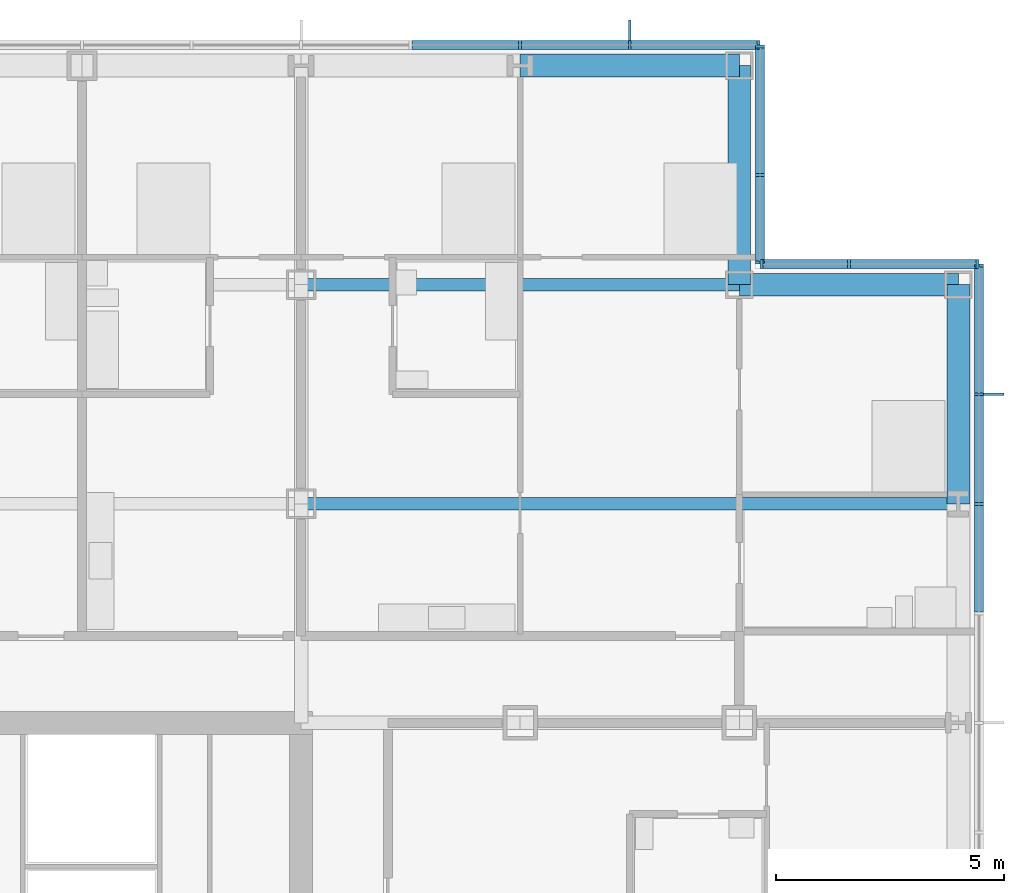
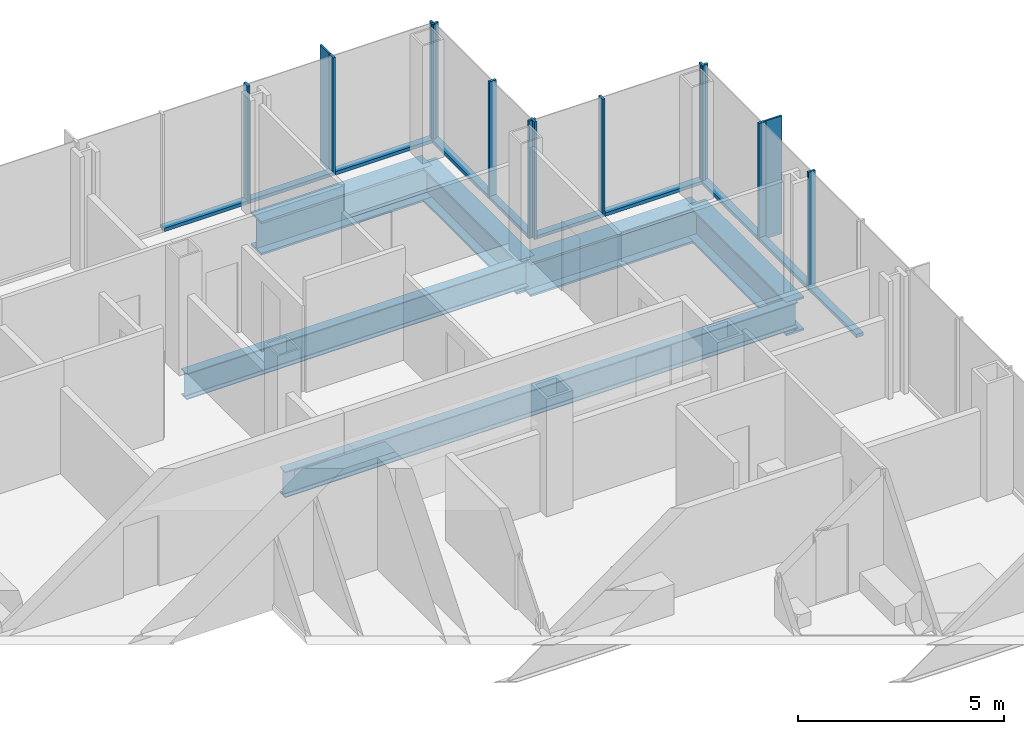
# One storey, part 11 of 21: 24 members, 6 beams, 4 elements without a shape of their own.
"""IFC4 building model written with IfcOpenShell, lengths in metres."""

from ifc_helpers import new_model, si_unit, direction, frame, origin, origin_2d, place, context, subcontext, project, spatial, rectangle, i_section, extrude, material, material_profile, profile_set, type_object, element, aggregate, save


model = new_model("IFC4")

# Units and contexts
model_context = context("Model", 3, precision=1e-05, world=origin(), true_north=direction((0.0, 1.0)))
body_context = subcontext(model_context, "Body", "Model", "MODEL_VIEW")
ifc_project = project(units=[si_unit("LENGTHUNIT", "METRE"), si_unit("AREAUNIT", "SQUARE_METRE"), si_unit("VOLUMEUNIT", "CUBIC_METRE"), si_unit("PLANEANGLEUNIT", "RADIAN"), si_unit("MASSUNIT", "GRAM", prefix="KILO")], contexts=[model_context])

# Site, building, storey
site_placement = place(None, origin())
site = spatial("IfcSite", under=ifc_project, at=site_placement, CompositionType="ELEMENT")
building_placement = place(site_placement, origin())
building = spatial("IfcBuilding", under=site, at=building_placement, Name="Kvirike Care Tower", CompositionType="ELEMENT")
storey_placement = place(building_placement, frame((0.0, 0.0, 48.0)))
storey = spatial("IfcBuildingStorey", under=building, at=storey_placement, Name="L12", CompositionType="ELEMENT", Elevation=48.0)

# Curtain wall, member
ifc_material_1 = material(Name="Anodised aluminium stick system", Category="aluminium")
curtain_wall_type = type_object("IfcCurtainWallType", Name="CW-A STICK CURTAIN WALL", PredefinedType="NOTDEFINED", material=ifc_material_1)
curtain_wall_1_placement = place(storey_placement, origin())
curtain_wall_1 = element("IfcCurtainWall", 1, at=curtain_wall_1_placement, inside=storey, type_object=curtain_wall_type, Name="Curtain wall L12 face 7", PredefinedType="NOTDEFINED")
ifc_material_2 = material(Name="Bronze anodised aluminium fin", Category="aluminium")
ifc_material_profile_1 = material_profile(ifc_material_2, rectangle(XDim=0.050048828125, YDim=0.449951171875, at=origin_2d()), Name="BRONZE FIN 450")
ifc_profile_set_1 = profile_set([ifc_material_profile_1], Name="Bronze anodised aluminium fin")
member_type_1 = type_object("IfcMemberType", Name="BRONZE FIN 450", PredefinedType="USERDEFINED", material=ifc_profile_set_1)
member_1_placement = place(storey_placement, frame((43.97509765625, 50.39990234375, 0.0), z_axis=(0.0, 0.0, 1.0), x_axis=(0.0, 1.0, 0.0)))
member_1 = element("IfcMember", 2, at=member_1_placement, type_object=member_type_1, Name="Bronze fin L12 face 7.14", ObjectType="FIN", PredefinedType="USERDEFINED", context=body_context, shape_type="SweptSolid", body=[
    extrude(rectangle(XDim=0.050048828125, YDim=0.449951171875, at=origin_2d()), origin(), (0.0, 0.0, 1.0), 3.5),
])

curtain_wall_2_placement = place(storey_placement, origin())
curtain_wall_2 = element("IfcCurtainWall", 3, at=curtain_wall_2_placement, inside=storey, type_object=curtain_wall_type, Name="Curtain wall L12 face 10", PredefinedType="NOTDEFINED")
member_2_placement = place(storey_placement, frame((36.0, 58.375, 0.0), z_axis=(0.0, 0.0, 1.0), x_axis=(-1.0, 0.0, 0.0)))
member_2 = element("IfcMember", 4, at=member_2_placement, type_object=member_type_1, Name="Bronze fin L12 face 10.2", ObjectType="FIN", PredefinedType="USERDEFINED", context=body_context, shape_type="SweptSolid", body=[
    extrude(rectangle(XDim=0.050048828125, YDim=0.449951171875, at=origin_2d()), origin(), (0.0, 0.0, 1.0), 3.5),
])

# Member
ifc_material_3 = material(Name="Bronze anodised aluminium mullion", Category="aluminium")
ifc_material_profile_2 = material_profile(ifc_material_3, rectangle(XDim=0.06494140625, YDim=0.199951171875, at=origin_2d()), Name="CW-A MULLION 65x200")
ifc_profile_set_2 = profile_set([ifc_material_profile_2], Name="Bronze anodised aluminium mullion")
member_type_2 = type_object("IfcMemberType", Name="CW-A MULLION 65x200", PredefinedType="MULLION", material=ifc_profile_set_2)
member_3_placement = place(storey_placement, frame((43.64990234375, 48.0, 0.0), z_axis=(0.0, 0.0, 1.0), x_axis=(0.0, 1.0, 0.0)))
member_3 = element("IfcMember", 5, at=member_3_placement, type_object=member_type_2, Name="CW-A mullion L12 face 7.13", PredefinedType="MULLION", context=body_context, shape_type="SweptSolid", body=[
    extrude(rectangle(XDim=0.06494140625, YDim=0.199951171875, at=origin_2d()), origin(), (0.0, 0.0, 1.0), 3.5),
])

member_4_placement = place(storey_placement, frame((43.64990234375, 50.39990234375, 0.0), z_axis=(0.0, 0.0, 1.0), x_axis=(0.0, 1.0, 0.0)))
member_4 = element("IfcMember", 6, at=member_4_placement, type_object=member_type_2, Name="CW-A mullion L12 face 7.14", PredefinedType="MULLION", context=body_context, shape_type="SweptSolid", body=[
    extrude(rectangle(XDim=0.06494140625, YDim=0.199951171875, at=origin_2d()), origin(), (0.0, 0.0, 1.0), 3.5),
])

member_5_placement = place(storey_placement, frame((43.64990234375, 53.217529296875, 0.0), z_axis=(0.0, 0.0, 1.0), x_axis=(0.0, 1.0, 0.0)))
member_5 = element("IfcMember", 7, at=member_5_placement, type_object=member_type_2, Name="CW-A mullion L12 face 7.15", PredefinedType="MULLION", context=body_context, shape_type="SweptSolid", body=[
    extrude(rectangle(XDim=0.06494140625, YDim=0.199951171875, at=origin_2d()), origin(), (0.0, 0.0, 1.0), 3.5),
])

# Curtain wall, members
curtain_wall_3_placement = place(storey_placement, origin())
curtain_wall_3 = element("IfcCurtainWall", 8, at=curtain_wall_3_placement, inside=storey, type_object=curtain_wall_type, Name="Curtain wall L12 face 8", PredefinedType="NOTDEFINED")
member_6_placement = place(storey_placement, frame((43.617431640625, 53.25, 0.0), z_axis=(0.0, 0.0, 1.0), x_axis=(-1.0, 0.0, 0.0)))
member_6 = element("IfcMember", 9, at=member_6_placement, type_object=member_type_2, Name="CW-A mullion L12 face 8.1", PredefinedType="MULLION", context=body_context, shape_type="SweptSolid", body=[
    extrude(rectangle(XDim=0.06494140625, YDim=0.199951171875, at=origin_2d()), origin(), (0.0, 0.0, 1.0), 3.5),
])
member_7_placement = place(storey_placement, frame((40.800048828125, 53.25, 0.0), z_axis=(0.0, 0.0, 1.0), x_axis=(-1.0, 0.0, 0.0)))
member_7 = element("IfcMember", 10, at=member_7_placement, type_object=member_type_2, Name="CW-A mullion L12 face 8.2", PredefinedType="MULLION", context=body_context, shape_type="SweptSolid", body=[
    extrude(rectangle(XDim=0.06494140625, YDim=0.199951171875, at=origin_2d()), origin(), (0.0, 0.0, 1.0), 3.5),
])
member_8_placement = place(storey_placement, frame((38.882568359375, 53.25, 0.0), z_axis=(0.0, 0.0, 1.0), x_axis=(-1.0, 0.0, 0.0)))
member_8 = element("IfcMember", 11, at=member_8_placement, type_object=member_type_2, Name="CW-A mullion L12 face 8.3", PredefinedType="MULLION", context=body_context, shape_type="SweptSolid", body=[
    extrude(rectangle(XDim=0.06494140625, YDim=0.199951171875, at=origin_2d()), origin(), (0.0, 0.0, 1.0), 3.5),
])

curtain_wall_4_placement = place(storey_placement, origin())
curtain_wall_4 = element("IfcCurtainWall", 12, at=curtain_wall_4_placement, inside=storey, type_object=curtain_wall_type, Name="Curtain wall L12 face 9", PredefinedType="NOTDEFINED")
member_9_placement = place(storey_placement, frame((38.85009765625, 53.282470703125, 0.0), z_axis=(0.0, 0.0, 1.0), x_axis=(0.0, 1.0, 0.0)))
member_9 = element("IfcMember", 13, at=member_9_placement, type_object=member_type_2, Name="CW-A mullion L12 face 9.1", PredefinedType="MULLION", context=body_context, shape_type="SweptSolid", body=[
    extrude(rectangle(XDim=0.06494140625, YDim=0.199951171875, at=origin_2d()), origin(), (0.0, 0.0, 1.0), 3.5),
])
member_10_placement = place(storey_placement, frame((38.85009765625, 55.199951171875, 0.0), z_axis=(0.0, 0.0, 1.0), x_axis=(0.0, 1.0, 0.0)))
member_10 = element("IfcMember", 14, at=member_10_placement, type_object=member_type_2, Name="CW-A mullion L12 face 9.2", PredefinedType="MULLION", context=body_context, shape_type="SweptSolid", body=[
    extrude(rectangle(XDim=0.06494140625, YDim=0.199951171875, at=origin_2d()), origin(), (0.0, 0.0, 1.0), 3.5),
])
member_11_placement = place(storey_placement, frame((38.85009765625, 58.017578125, 0.0), z_axis=(0.0, 0.0, 1.0), x_axis=(0.0, 1.0, 0.0)))
member_11 = element("IfcMember", 15, at=member_11_placement, type_object=member_type_2, Name="CW-A mullion L12 face 9.3", PredefinedType="MULLION", context=body_context, shape_type="SweptSolid", body=[
    extrude(rectangle(XDim=0.06494140625, YDim=0.199951171875, at=origin_2d()), origin(), (0.0, 0.0, 1.0), 3.5),
])

# Member
member_12_placement = place(storey_placement, frame((38.8173828125, 58.050048828125, 0.0), z_axis=(0.0, 0.0, 1.0), x_axis=(-1.0, 0.0, 0.0)))
member_12 = element("IfcMember", 16, at=member_12_placement, type_object=member_type_2, Name="CW-A mullion L12 face 10.1", PredefinedType="MULLION", context=body_context, shape_type="SweptSolid", body=[
    extrude(rectangle(XDim=0.06494140625, YDim=0.199951171875, at=origin_2d()), origin(), (0.0, 0.0, 1.0), 3.5),
])

member_13_placement = place(storey_placement, frame((36.0, 58.050048828125, 0.0), z_axis=(0.0, 0.0, 1.0), x_axis=(-1.0, 0.0, 0.0)))
member_13 = element("IfcMember", 17, at=member_13_placement, type_object=member_type_2, Name="CW-A mullion L12 face 10.2", PredefinedType="MULLION", context=body_context, shape_type="SweptSolid", body=[
    extrude(rectangle(XDim=0.06494140625, YDim=0.199951171875, at=origin_2d()), origin(), (0.0, 0.0, 1.0), 3.5),
])

member_14_placement = place(storey_placement, frame((33.60009765625, 58.050048828125, 0.0), z_axis=(0.0, 0.0, 1.0), x_axis=(-1.0, 0.0, 0.0)))
member_14 = element("IfcMember", 18, at=member_14_placement, type_object=member_type_2, Name="CW-A mullion L12 face 10.3", PredefinedType="MULLION", context=body_context, shape_type="SweptSolid", body=[
    extrude(rectangle(XDim=0.06494140625, YDim=0.199951171875, at=origin_2d()), origin(), (0.0, 0.0, 1.0), 3.5),
])

ifc_material_4 = material(Name="Bronze anodised aluminium transom", Category="aluminium")
ifc_material_profile_3 = material_profile(ifc_material_4, rectangle(XDim=0.199951171875, YDim=0.10009765625, at=origin_2d()), Name="CW-A TRANSOM 200x100")
ifc_profile_set_3 = profile_set([ifc_material_profile_3], Name="Bronze anodised aluminium transom")
member_type_3 = type_object("IfcMemberType", Name="CW-A TRANSOM 200x100", PredefinedType="USERDEFINED", material=ifc_profile_set_3)
member_15_placement = place(storey_placement, frame((43.64990234375, 45.632568359375, 0.050048828125), z_axis=(0.0, 1.0, 0.0), x_axis=(-1.0, 0.0, 0.0)))
member_15 = element("IfcMember", 19, at=member_15_placement, type_object=member_type_3, Name="CW-A sill transom L12 face 7.12", ObjectType="TRANSOM", PredefinedType="USERDEFINED", context=body_context, shape_type="SweptSolid", body=[
    extrude(rectangle(XDim=0.199951171875, YDim=0.10009765625, at=origin_2d()), origin(), (0.0, 0.0, 1.0), 2.3349609375),
])

member_16_placement = place(storey_placement, frame((43.64990234375, 48.032470703125, 0.050048828125), z_axis=(0.0, 1.0, 0.0), x_axis=(-1.0, 0.0, 0.0)))
member_16 = element("IfcMember", 20, at=member_16_placement, type_object=member_type_3, Name="CW-A sill transom L12 face 7.13", ObjectType="TRANSOM", PredefinedType="USERDEFINED", context=body_context, shape_type="SweptSolid", body=[
    extrude(rectangle(XDim=0.199951171875, YDim=0.10009765625, at=origin_2d()), origin(), (0.0, 0.0, 1.0), 2.3349609375),
])

member_17_placement = place(storey_placement, frame((43.64990234375, 50.4326171875, 0.050048828125), z_axis=(0.0, 1.0, 0.0), x_axis=(-1.0, 0.0, 0.0)))
member_17 = element("IfcMember", 21, at=member_17_placement, type_object=member_type_3, Name="CW-A sill transom L12 face 7.14", ObjectType="TRANSOM", PredefinedType="USERDEFINED", context=body_context, shape_type="SweptSolid", body=[
    extrude(rectangle(XDim=0.199951171875, YDim=0.10009765625, at=origin_2d()), origin(), (0.0, 0.0, 1.0), 2.75244140625),
])

aggregate(curtain_wall_1, [member_3, member_4, member_1, member_5, member_15, member_16, member_17])

member_18_placement = place(storey_placement, frame((43.5849609375, 53.25, 0.050048828125), z_axis=(-1.0, 0.0, 0.0), x_axis=(0.0, -1.0, 0.0)))
member_18 = element("IfcMember", 22, at=member_18_placement, type_object=member_type_3, Name="CW-A sill transom L12 face 8.1", ObjectType="TRANSOM", PredefinedType="USERDEFINED", context=body_context, shape_type="SweptSolid", body=[
    extrude(rectangle(XDim=0.199951171875, YDim=0.10009765625, at=origin_2d()), origin(), (0.0, 0.0, 1.0), 2.75244140625),
])

member_19_placement = place(storey_placement, frame((40.767578125, 53.25, 0.050048828125), z_axis=(-1.0, 0.0, 0.0), x_axis=(0.0, -1.0, 0.0)))
member_19 = element("IfcMember", 23, at=member_19_placement, type_object=member_type_3, Name="CW-A sill transom L12 face 8.2", ObjectType="TRANSOM", PredefinedType="USERDEFINED", context=body_context, shape_type="SweptSolid", body=[
    extrude(rectangle(XDim=0.199951171875, YDim=0.10009765625, at=origin_2d()), origin(), (0.0, 0.0, 1.0), 1.8525390625),
])

aggregate(curtain_wall_3, [member_6, member_7, member_8, member_18, member_19])

member_20_placement = place(storey_placement, frame((38.85009765625, 53.31494140625, 0.050048828125), z_axis=(0.0, 1.0, 0.0), x_axis=(-1.0, 0.0, 0.0)))
member_20 = element("IfcMember", 24, at=member_20_placement, type_object=member_type_3, Name="CW-A sill transom L12 face 9.1", ObjectType="TRANSOM", PredefinedType="USERDEFINED", context=body_context, shape_type="SweptSolid", body=[
    extrude(rectangle(XDim=0.199951171875, YDim=0.10009765625, at=origin_2d()), origin(), (0.0, 0.0, 1.0), 1.8525390625),
])

member_21_placement = place(storey_placement, frame((38.85009765625, 55.232421875, 0.050048828125), z_axis=(0.0, 1.0, 0.0), x_axis=(-1.0, 0.0, 0.0)))
member_21 = element("IfcMember", 25, at=member_21_placement, type_object=member_type_3, Name="CW-A sill transom L12 face 9.2", ObjectType="TRANSOM", PredefinedType="USERDEFINED", context=body_context, shape_type="SweptSolid", body=[
    extrude(rectangle(XDim=0.199951171875, YDim=0.10009765625, at=origin_2d()), origin(), (0.0, 0.0, 1.0), 2.752685546875),
])

aggregate(curtain_wall_4, [member_9, member_10, member_11, member_20, member_21])

member_22_placement = place(storey_placement, frame((38.784912109375, 58.050048828125, 0.050048828125), z_axis=(-1.0, 0.0, 0.0), x_axis=(0.0, -1.0, 0.0)))
member_22 = element("IfcMember", 26, at=member_22_placement, type_object=member_type_3, Name="CW-A sill transom L12 face 10.1", ObjectType="TRANSOM", PredefinedType="USERDEFINED", context=body_context, shape_type="SweptSolid", body=[
    extrude(rectangle(XDim=0.199951171875, YDim=0.10009765625, at=origin_2d()), origin(), (0.0, 0.0, 1.0), 2.75244140625),
])

member_23_placement = place(storey_placement, frame((35.967529296875, 58.050048828125, 0.050048828125), z_axis=(-1.0, 0.0, 0.0), x_axis=(0.0, -1.0, 0.0)))
member_23 = element("IfcMember", 27, at=member_23_placement, type_object=member_type_3, Name="CW-A sill transom L12 face 10.2", ObjectType="TRANSOM", PredefinedType="USERDEFINED", context=body_context, shape_type="SweptSolid", body=[
    extrude(rectangle(XDim=0.199951171875, YDim=0.10009765625, at=origin_2d()), origin(), (0.0, 0.0, 1.0), 2.3349609375),
])

member_24_placement = place(storey_placement, frame((33.5673828125, 58.050048828125, 0.050048828125), z_axis=(-1.0, 0.0, 0.0), x_axis=(0.0, -1.0, 0.0)))
member_24 = element("IfcMember", 28, at=member_24_placement, type_object=member_type_3, Name="CW-A sill transom L12 face 10.3", ObjectType="TRANSOM", PredefinedType="USERDEFINED", context=body_context, shape_type="SweptSolid", body=[
    extrude(rectangle(XDim=0.199951171875, YDim=0.10009765625, at=origin_2d()), origin(), (0.0, 0.0, 1.0), 2.3349609375),
])

aggregate(curtain_wall_2, [member_12, member_13, member_2, member_14, member_22, member_23, member_24])

# Beams
ifc_material_5 = material(Name="Steel S355", Category="steel")
ifc_material_profile_4 = material_profile(ifc_material_5, i_section(OverallWidth=0.26806640625, OverallDepth=0.77001953125, WebThickness=0.015625, FlangeThickness=0.025390625, FilletRadius=0.01708984375, at=origin_2d()), Name="IPE 750x196")
ifc_profile_set_4 = profile_set([ifc_material_profile_4], Name="Steel S355")
beam_type_1 = type_object("IfcBeamType", Name="FLOOR BEAM IPE 750x196", PredefinedType="BEAM", material=ifc_profile_set_4)
beam_1_placement = place(storey_placement, frame((28.800048828125, 48.0, -0.554931640625), z_axis=(1.0, 0.0, 0.0), x_axis=(0.0, 1.0, 0.0)))
element("IfcBeam", 29, at=beam_1_placement, inside=storey, type_object=beam_type_1, Name="Floor Beam L9-L12 L12", PredefinedType="BEAM", context=body_context, shape_type="SweptSolid", body=[
    extrude(i_section(OverallWidth=0.26806640625, OverallDepth=0.77001953125, WebThickness=0.015625, FlangeThickness=0.025390625, FilletRadius=0.01708984375, at=origin_2d()), origin(), (0.0, 0.0, 1.0), 14.39990234375),
])
beam_2_placement = place(storey_placement, frame((28.800048828125, 52.800048828125, -0.554931640625), z_axis=(1.0, 0.0, 0.0), x_axis=(0.0, 1.0, 0.0)))
element("IfcBeam", 30, at=beam_2_placement, inside=storey, type_object=beam_type_1, Name="Floor Beam M9-M11 L12", PredefinedType="BEAM", context=body_context, shape_type="SweptSolid", body=[
    extrude(i_section(OverallWidth=0.26806640625, OverallDepth=0.77001953125, WebThickness=0.015625, FlangeThickness=0.025390625, FilletRadius=0.01708984375, at=origin_2d()), origin(), (0.0, 0.0, 1.0), 9.599853515625),
])
ifc_material_6 = material(Name="Steel S355", Category="steel")
ifc_material_profile_5 = material_profile(ifc_material_6, i_section(OverallWidth=0.5, OverallDepth=1.0, WebThickness=0.030029296875, FlangeThickness=0.06005859375, at=origin_2d()), Name="PG 1000x500x30x60")
ifc_profile_set_5 = profile_set([ifc_material_profile_5], Name="Steel S355")
beam_type_2 = type_object("IfcBeamType", Name="SPANDREL PG 1000x500x30x60", PredefinedType="SPANDREL", material=ifc_profile_set_5)
beam_3_placement = place(storey_placement, frame((38.39990234375, 52.800048828125, -0.669921875), z_axis=(1.0, 0.0, 0.0), x_axis=(0.0, 1.0, 0.0)))
element("IfcBeam", 31, at=beam_3_placement, inside=storey, type_object=beam_type_2, Name="Spandrel M11-M12 L12", PredefinedType="SPANDREL", context=body_context, shape_type="SweptSolid", body=[
    extrude(i_section(OverallWidth=0.5, OverallDepth=1.0, WebThickness=0.030029296875, FlangeThickness=0.06005859375, at=origin_2d()), origin(), (0.0, 0.0, 1.0), 4.800048828125),
])
beam_4_placement = place(storey_placement, frame((33.60009765625, 57.60009765625, -0.669921875), z_axis=(1.0, 0.0, 0.0), x_axis=(0.0, 1.0, 0.0)))
element("IfcBeam", 32, at=beam_4_placement, inside=storey, type_object=beam_type_2, Name="Spandrel N10-N11 L12", PredefinedType="SPANDREL", context=body_context, shape_type="SweptSolid", body=[
    extrude(i_section(OverallWidth=0.5, OverallDepth=1.0, WebThickness=0.030029296875, FlangeThickness=0.06005859375, at=origin_2d()), origin(), (0.0, 0.0, 1.0), 4.7998046875),
])
for number, where, z_axis, x_axis, name in (
    (33, (38.39990234375, 52.800048828125, -0.669921875), (0.0, 1.0, 0.0), (-1.0, 0.0, 0.0), "Spandrel M11-N11 L12"),
    (34, (43.199951171875, 48.0, -0.669921875), (0.0, 1.0, 0.0), (-1.0, 0.0, 0.0), "Spandrel L12-M12 L12"),
):
    element("IfcBeam", number, at=place(storey_placement, frame(where, z_axis=z_axis, x_axis=x_axis)), inside=storey, type_object=beam_type_2, Name=name, PredefinedType="SPANDREL", context=body_context, shape_type="SweptSolid", body=[
        extrude(i_section(OverallWidth=0.5, OverallDepth=1.0, WebThickness=0.030029296875, FlangeThickness=0.06005859375, at=origin_2d()), origin(), (0.0, 0.0, 1.0), 4.800048828125),
    ])

save(model, "model.ifc")
